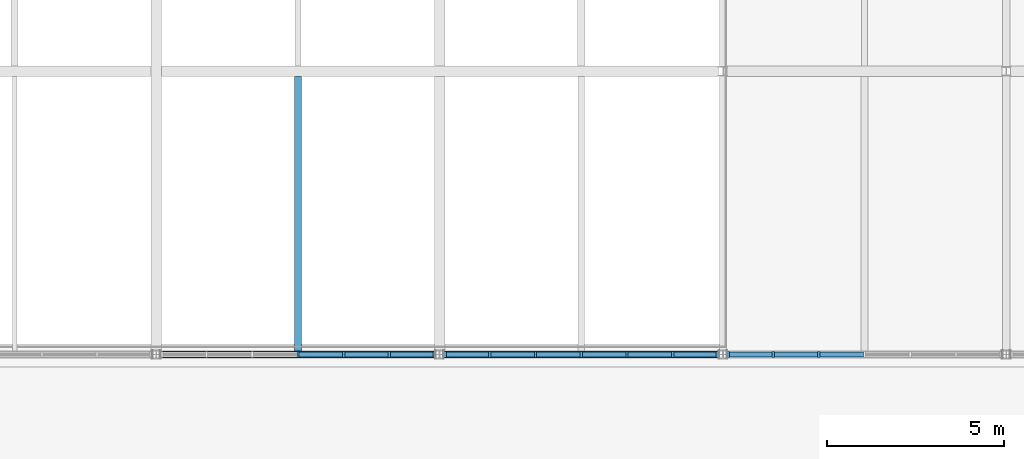
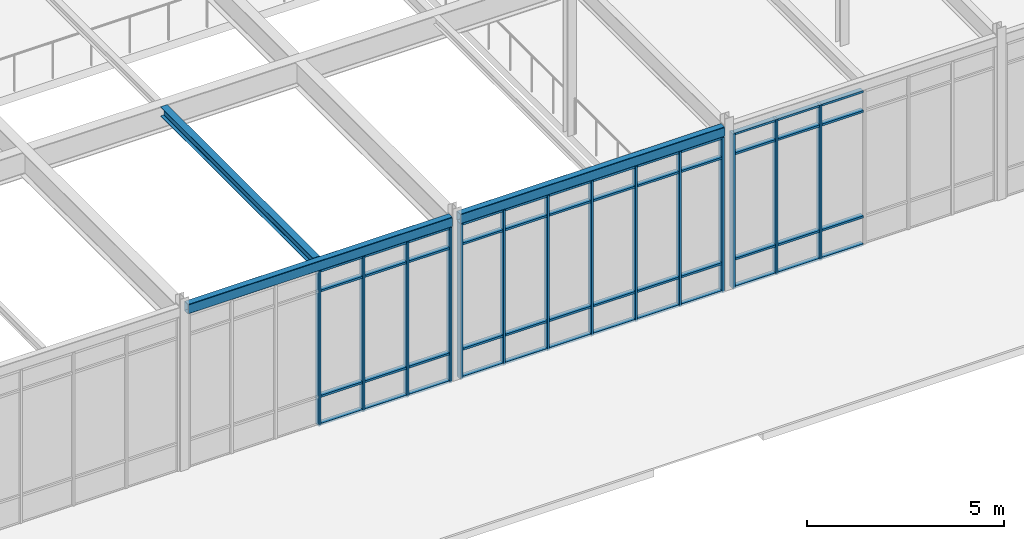
# One storey, part 45 of 184: 62 members, 3 beams, 3 elements without a shape of their own.
"""IFC4 building model written with IfcOpenShell, lengths in metres."""

from ifc_helpers import new_model, si_unit, direction, frame, origin, origin_2d, place, context, subcontext, project, spatial, rectangle, hollow_rectangle, i_section, extrude, material, material_profile, profile_set, type_object, element, aggregate, save


model = new_model("IFC4")

# Units and contexts
model_context = context("Model", 3, precision=1e-05, world=origin(), true_north=direction((0.0, 1.0)))
body_context = subcontext(model_context, "Body", "Model", "MODEL_VIEW")
ifc_project = project(units=[si_unit("LENGTHUNIT", "METRE"), si_unit("AREAUNIT", "SQUARE_METRE"), si_unit("VOLUMEUNIT", "CUBIC_METRE"), si_unit("PLANEANGLEUNIT", "RADIAN"), si_unit("MASSUNIT", "GRAM", prefix="KILO")], contexts=[model_context])

# Site, building, storey
site_placement = place(None, origin())
site = spatial("IfcSite", under=ifc_project, at=site_placement, CompositionType="ELEMENT")
building_placement = place(site_placement, origin())
building = spatial("IfcBuilding", under=site, at=building_placement, Name="Zhaolan Boulevard Law Courts", CompositionType="ELEMENT")
storey_placement = place(building_placement, frame((0.0, 0.0, 5.39990234375)))
storey = spatial("IfcBuildingStorey", under=building, at=storey_placement, Name="L01", CompositionType="ELEMENT", Elevation=5.39990234375)

# Curtain wall, members
ifc_material_1 = material(Name="Thermally broken aluminium and low-E glazing", Category="aluminium")
curtain_wall_type_1 = type_object("IfcCurtainWallType", Name="CURTAIN WALL M11", PredefinedType="USERDEFINED", material=ifc_material_1)
curtain_wall_1_placement = place(storey_placement, origin())
curtain_wall_1 = element("IfcCurtainWall", 1, at=curtain_wall_1_placement, inside=storey, type_object=curtain_wall_type_1, Name="Curtain Wall CW-L01-035", ObjectType="CURTAIN WALL", PredefinedType="USERDEFINED")
ifc_material_2 = material(Name="Fluorocarbon-coated aluminium 6063-T6", Category="aluminium")
ifc_material_profile_1 = material_profile(ifc_material_2, rectangle(XDim=0.179931640625, YDim=0.06494140625, at=origin_2d()), Name="AL65x180")
ifc_profile_set_1 = profile_set([ifc_material_profile_1], Name="Fluorocarbon-coated aluminium 6063-T6")
member_type_1 = type_object("IfcMemberType", Name="CWMULLION 65X180", PredefinedType="MULLION", material=ifc_profile_set_1)
member_1_placement = place(storey_placement, frame((64.0, 6.0, 0.0), z_axis=(0.0, 0.0, 1.0), x_axis=(0.0, 1.0, 0.0)))
member_1 = element("IfcMember", 2, at=member_1_placement, type_object=member_type_1, Name="CW-L01-035 mullion 4", PredefinedType="MULLION", context=body_context, shape_type="SweptSolid", body=[
    extrude(rectangle(XDim=0.179931640625, YDim=0.06494140625, at=origin_2d()), origin(), (0.0, 0.0, 1.0), 4.822998046875),
])
member_2_placement = place(storey_placement, frame((65.291015625, 6.0, 0.0), z_axis=(0.0, 0.0, 1.0), x_axis=(0.0, 1.0, 0.0)))
member_2 = element("IfcMember", 3, at=member_2_placement, type_object=member_type_1, Name="CW-L01-035 mullion 5", PredefinedType="MULLION", context=body_context, shape_type="SweptSolid", body=[
    extrude(rectangle(XDim=0.179931640625, YDim=0.06494140625, at=origin_2d()), origin(), (0.0, 0.0, 1.0), 4.822998046875),
])
member_3_placement = place(storey_placement, frame((66.58203125, 6.0, 0.0), z_axis=(0.0, 0.0, 1.0), x_axis=(0.0, 1.0, 0.0)))
member_3 = element("IfcMember", 4, at=member_3_placement, type_object=member_type_1, Name="CW-L01-035 mullion 6", PredefinedType="MULLION", context=body_context, shape_type="SweptSolid", body=[
    extrude(rectangle(XDim=0.179931640625, YDim=0.06494140625, at=origin_2d()), origin(), (0.0, 0.0, 1.0), 4.822998046875),
])
member_4_placement = place(storey_placement, frame((67.840576171875, 6.0, 0.0), z_axis=(0.0, 0.0, 1.0), x_axis=(0.0, 1.0, 0.0)))
member_4 = element("IfcMember", 5, at=member_4_placement, type_object=member_type_1, Name="CW-L01-035 mullion 7", PredefinedType="MULLION", context=body_context, shape_type="SweptSolid", body=[
    extrude(rectangle(XDim=0.179931640625, YDim=0.06494140625, at=origin_2d()), origin(), (0.0, 0.0, 1.0), 4.822998046875),
])

ifc_material_3 = material(Name="Thermally broken aluminium and low-E glazing", Category="aluminium")
curtain_wall_type_2 = type_object("IfcCurtainWallType", Name="CURTAIN WALL M12", PredefinedType="USERDEFINED", material=ifc_material_3)
curtain_wall_2_placement = place(storey_placement, origin())
curtain_wall_2 = element("IfcCurtainWall", 6, at=curtain_wall_2_placement, inside=storey, type_object=curtain_wall_type_2, Name="Curtain Wall CW-L01-036", ObjectType="CURTAIN WALL", PredefinedType="USERDEFINED")
member_5_placement = place(storey_placement, frame((68.159423828125, 6.0, 0.0), z_axis=(0.0, 0.0, 1.0), x_axis=(0.0, 1.0, 0.0)))
member_5 = element("IfcMember", 7, at=member_5_placement, type_object=member_type_1, Name="CW-L01-036 mullion 1", PredefinedType="MULLION", context=body_context, shape_type="SweptSolid", body=[
    extrude(rectangle(XDim=0.179931640625, YDim=0.06494140625, at=origin_2d()), origin(), (0.0, 0.0, 1.0), 4.822998046875),
])
member_6_placement = place(storey_placement, frame((69.41796875, 6.0, 0.0), z_axis=(0.0, 0.0, 1.0), x_axis=(0.0, 1.0, 0.0)))
member_6 = element("IfcMember", 8, at=member_6_placement, type_object=member_type_1, Name="CW-L01-036 mullion 2", PredefinedType="MULLION", context=body_context, shape_type="SweptSolid", body=[
    extrude(rectangle(XDim=0.179931640625, YDim=0.06494140625, at=origin_2d()), origin(), (0.0, 0.0, 1.0), 4.822998046875),
])
member_7_placement = place(storey_placement, frame((70.708984375, 6.0, 0.0), z_axis=(0.0, 0.0, 1.0), x_axis=(0.0, 1.0, 0.0)))
member_7 = element("IfcMember", 9, at=member_7_placement, type_object=member_type_1, Name="CW-L01-036 mullion 3", PredefinedType="MULLION", context=body_context, shape_type="SweptSolid", body=[
    extrude(rectangle(XDim=0.179931640625, YDim=0.06494140625, at=origin_2d()), origin(), (0.0, 0.0, 1.0), 4.822998046875),
])
member_8_placement = place(storey_placement, frame((72.0, 6.0, 0.0), z_axis=(0.0, 0.0, 1.0), x_axis=(0.0, 1.0, 0.0)))
member_8 = element("IfcMember", 10, at=member_8_placement, type_object=member_type_1, Name="CW-L01-036 mullion 4", PredefinedType="MULLION", context=body_context, shape_type="SweptSolid", body=[
    extrude(rectangle(XDim=0.179931640625, YDim=0.06494140625, at=origin_2d()), origin(), (0.0, 0.0, 1.0), 4.822998046875),
])
member_9_placement = place(storey_placement, frame((73.291015625, 6.0, 0.0), z_axis=(0.0, 0.0, 1.0), x_axis=(0.0, 1.0, 0.0)))
member_9 = element("IfcMember", 11, at=member_9_placement, type_object=member_type_1, Name="CW-L01-036 mullion 5", PredefinedType="MULLION", context=body_context, shape_type="SweptSolid", body=[
    extrude(rectangle(XDim=0.179931640625, YDim=0.06494140625, at=origin_2d()), origin(), (0.0, 0.0, 1.0), 4.822998046875),
])
member_10_placement = place(storey_placement, frame((74.58203125, 6.0, 0.0), z_axis=(0.0, 0.0, 1.0), x_axis=(0.0, 1.0, 0.0)))
member_10 = element("IfcMember", 12, at=member_10_placement, type_object=member_type_1, Name="CW-L01-036 mullion 6", PredefinedType="MULLION", context=body_context, shape_type="SweptSolid", body=[
    extrude(rectangle(XDim=0.179931640625, YDim=0.06494140625, at=origin_2d()), origin(), (0.0, 0.0, 1.0), 4.822998046875),
])
member_11_placement = place(storey_placement, frame((75.840576171875, 6.0, 0.0), z_axis=(0.0, 0.0, 1.0), x_axis=(0.0, 1.0, 0.0)))
member_11 = element("IfcMember", 13, at=member_11_placement, type_object=member_type_1, Name="CW-L01-036 mullion 7", PredefinedType="MULLION", context=body_context, shape_type="SweptSolid", body=[
    extrude(rectangle(XDim=0.179931640625, YDim=0.06494140625, at=origin_2d()), origin(), (0.0, 0.0, 1.0), 4.822998046875),
])

ifc_material_4 = material(Name="Thermally broken aluminium and low-E glazing", Category="aluminium")
curtain_wall_type_3 = type_object("IfcCurtainWallType", Name="CURTAIN WALL M13", PredefinedType="USERDEFINED", material=ifc_material_4)
curtain_wall_3_placement = place(storey_placement, origin())
curtain_wall_3 = element("IfcCurtainWall", 14, at=curtain_wall_3_placement, inside=storey, type_object=curtain_wall_type_3, Name="Curtain Wall CW-L01-037", ObjectType="CURTAIN WALL", PredefinedType="USERDEFINED")
member_12_placement = place(storey_placement, frame((76.159423828125, 6.0, 0.0), z_axis=(0.0, 0.0, 1.0), x_axis=(0.0, 1.0, 0.0)))
member_12 = element("IfcMember", 15, at=member_12_placement, type_object=member_type_1, Name="CW-L01-037 mullion 1", PredefinedType="MULLION", context=body_context, shape_type="SweptSolid", body=[
    extrude(rectangle(XDim=0.179931640625, YDim=0.06494140625, at=origin_2d()), origin(), (0.0, 0.0, 1.0), 4.822998046875),
])
member_13_placement = place(storey_placement, frame((77.41796875, 6.0, 0.0), z_axis=(0.0, 0.0, 1.0), x_axis=(0.0, 1.0, 0.0)))
member_13 = element("IfcMember", 16, at=member_13_placement, type_object=member_type_1, Name="CW-L01-037 mullion 2", PredefinedType="MULLION", context=body_context, shape_type="SweptSolid", body=[
    extrude(rectangle(XDim=0.179931640625, YDim=0.06494140625, at=origin_2d()), origin(), (0.0, 0.0, 1.0), 4.822998046875),
])
member_14_placement = place(storey_placement, frame((78.708984375, 6.0, 0.0), z_axis=(0.0, 0.0, 1.0), x_axis=(0.0, 1.0, 0.0)))
member_14 = element("IfcMember", 17, at=member_14_placement, type_object=member_type_1, Name="CW-L01-037 mullion 3", PredefinedType="MULLION", context=body_context, shape_type="SweptSolid", body=[
    extrude(rectangle(XDim=0.179931640625, YDim=0.06494140625, at=origin_2d()), origin(), (0.0, 0.0, 1.0), 4.822998046875),
])

# Member
ifc_material_5 = material(Name="Fluorocarbon-coated aluminium 6063-T6", Category="aluminium")
ifc_material_profile_2 = material_profile(ifc_material_5, rectangle(XDim=0.139892578125, YDim=0.06494140625, at=origin_2d()), Name="AL65x140")
ifc_profile_set_2 = profile_set([ifc_material_profile_2], Name="Fluorocarbon-coated aluminium 6063-T6")
member_type_2 = type_object("IfcMemberType", Name="CWTRANSOM 65X140", PredefinedType="USERDEFINED", material=ifc_profile_set_2)
member_15_placement = place(storey_placement, frame((64.032470703125, 6.0, 0.03271484375), z_axis=(1.0, 0.0, 0.0), x_axis=(0.0, 1.0, 0.0)))
member_15 = element("IfcMember", 18, at=member_15_placement, type_object=member_type_2, Name="CW-L01-035 transom 4.1", ObjectType="TRANSOM", PredefinedType="USERDEFINED", context=body_context, shape_type="SweptSolid", body=[
    extrude(rectangle(XDim=0.139892578125, YDim=0.06494140625, at=origin_2d()), origin(), (0.0, 0.0, 1.0), 1.22607421875),
])

member_16_placement = place(storey_placement, frame((64.032470703125, 6.0, 0.900146484375), z_axis=(1.0, 0.0, 0.0), x_axis=(0.0, 1.0, 0.0)))
member_16 = element("IfcMember", 19, at=member_16_placement, type_object=member_type_2, Name="CW-L01-035 transom 4.2", ObjectType="TRANSOM", PredefinedType="USERDEFINED", context=body_context, shape_type="SweptSolid", body=[
    extrude(rectangle(XDim=0.139892578125, YDim=0.06494140625, at=origin_2d()), origin(), (0.0, 0.0, 1.0), 1.22607421875),
])

member_17_placement = place(storey_placement, frame((64.032470703125, 6.0, 4.173095703125), z_axis=(1.0, 0.0, 0.0), x_axis=(0.0, 1.0, 0.0)))
member_17 = element("IfcMember", 20, at=member_17_placement, type_object=member_type_2, Name="CW-L01-035 transom 4.3", ObjectType="TRANSOM", PredefinedType="USERDEFINED", context=body_context, shape_type="SweptSolid", body=[
    extrude(rectangle(XDim=0.139892578125, YDim=0.06494140625, at=origin_2d()), origin(), (0.0, 0.0, 1.0), 1.22607421875),
])

member_18_placement = place(storey_placement, frame((64.032470703125, 6.0, 4.79052734375), z_axis=(1.0, 0.0, 0.0), x_axis=(0.0, 1.0, 0.0)))
member_18 = element("IfcMember", 21, at=member_18_placement, type_object=member_type_2, Name="CW-L01-035 transom 4.4", ObjectType="TRANSOM", PredefinedType="USERDEFINED", context=body_context, shape_type="SweptSolid", body=[
    extrude(rectangle(XDim=0.139892578125, YDim=0.06494140625, at=origin_2d()), origin(), (0.0, 0.0, 1.0), 1.22607421875),
])

member_19_placement = place(storey_placement, frame((65.323486328125, 6.0, 0.03271484375), z_axis=(1.0, 0.0, 0.0), x_axis=(0.0, 1.0, 0.0)))
member_19 = element("IfcMember", 22, at=member_19_placement, type_object=member_type_2, Name="CW-L01-035 transom 5.1", ObjectType="TRANSOM", PredefinedType="USERDEFINED", context=body_context, shape_type="SweptSolid", body=[
    extrude(rectangle(XDim=0.139892578125, YDim=0.06494140625, at=origin_2d()), origin(), (0.0, 0.0, 1.0), 1.22607421875),
])

member_20_placement = place(storey_placement, frame((65.323486328125, 6.0, 0.900146484375), z_axis=(1.0, 0.0, 0.0), x_axis=(0.0, 1.0, 0.0)))
member_20 = element("IfcMember", 23, at=member_20_placement, type_object=member_type_2, Name="CW-L01-035 transom 5.2", ObjectType="TRANSOM", PredefinedType="USERDEFINED", context=body_context, shape_type="SweptSolid", body=[
    extrude(rectangle(XDim=0.139892578125, YDim=0.06494140625, at=origin_2d()), origin(), (0.0, 0.0, 1.0), 1.22607421875),
])

member_21_placement = place(storey_placement, frame((65.323486328125, 6.0, 4.173095703125), z_axis=(1.0, 0.0, 0.0), x_axis=(0.0, 1.0, 0.0)))
member_21 = element("IfcMember", 24, at=member_21_placement, type_object=member_type_2, Name="CW-L01-035 transom 5.3", ObjectType="TRANSOM", PredefinedType="USERDEFINED", context=body_context, shape_type="SweptSolid", body=[
    extrude(rectangle(XDim=0.139892578125, YDim=0.06494140625, at=origin_2d()), origin(), (0.0, 0.0, 1.0), 1.22607421875),
])

member_22_placement = place(storey_placement, frame((65.323486328125, 6.0, 4.79052734375), z_axis=(1.0, 0.0, 0.0), x_axis=(0.0, 1.0, 0.0)))
member_22 = element("IfcMember", 25, at=member_22_placement, type_object=member_type_2, Name="CW-L01-035 transom 5.4", ObjectType="TRANSOM", PredefinedType="USERDEFINED", context=body_context, shape_type="SweptSolid", body=[
    extrude(rectangle(XDim=0.139892578125, YDim=0.06494140625, at=origin_2d()), origin(), (0.0, 0.0, 1.0), 1.22607421875),
])

member_23_placement = place(storey_placement, frame((66.614501953125, 6.0, 0.03271484375), z_axis=(1.0, 0.0, 0.0), x_axis=(0.0, 1.0, 0.0)))
member_23 = element("IfcMember", 26, at=member_23_placement, type_object=member_type_2, Name="CW-L01-035 transom 6.1", ObjectType="TRANSOM", PredefinedType="USERDEFINED", context=body_context, shape_type="SweptSolid", body=[
    extrude(rectangle(XDim=0.139892578125, YDim=0.06494140625, at=origin_2d()), origin(), (0.0, 0.0, 1.0), 1.193603515625),
])

member_24_placement = place(storey_placement, frame((66.614501953125, 6.0, 0.900146484375), z_axis=(1.0, 0.0, 0.0), x_axis=(0.0, 1.0, 0.0)))
member_24 = element("IfcMember", 27, at=member_24_placement, type_object=member_type_2, Name="CW-L01-035 transom 6.2", ObjectType="TRANSOM", PredefinedType="USERDEFINED", context=body_context, shape_type="SweptSolid", body=[
    extrude(rectangle(XDim=0.139892578125, YDim=0.06494140625, at=origin_2d()), origin(), (0.0, 0.0, 1.0), 1.193603515625),
])

member_25_placement = place(storey_placement, frame((66.614501953125, 6.0, 4.173095703125), z_axis=(1.0, 0.0, 0.0), x_axis=(0.0, 1.0, 0.0)))
member_25 = element("IfcMember", 28, at=member_25_placement, type_object=member_type_2, Name="CW-L01-035 transom 6.3", ObjectType="TRANSOM", PredefinedType="USERDEFINED", context=body_context, shape_type="SweptSolid", body=[
    extrude(rectangle(XDim=0.139892578125, YDim=0.06494140625, at=origin_2d()), origin(), (0.0, 0.0, 1.0), 1.193603515625),
])

member_26_placement = place(storey_placement, frame((66.614501953125, 6.0, 4.79052734375), z_axis=(1.0, 0.0, 0.0), x_axis=(0.0, 1.0, 0.0)))
member_26 = element("IfcMember", 29, at=member_26_placement, type_object=member_type_2, Name="CW-L01-035 transom 6.4", ObjectType="TRANSOM", PredefinedType="USERDEFINED", context=body_context, shape_type="SweptSolid", body=[
    extrude(rectangle(XDim=0.139892578125, YDim=0.06494140625, at=origin_2d()), origin(), (0.0, 0.0, 1.0), 1.193603515625),
])

aggregate(curtain_wall_1, [member_1, member_2, member_3, member_4, member_15, member_16, member_17, member_18, member_19, member_20, member_21, member_22, member_23, member_24, member_25, member_26])

member_27_placement = place(storey_placement, frame((68.19189453125, 6.0, 0.03271484375), z_axis=(1.0, 0.0, 0.0), x_axis=(0.0, 1.0, 0.0)))
member_27 = element("IfcMember", 30, at=member_27_placement, type_object=member_type_2, Name="CW-L01-036 transom 1.1", ObjectType="TRANSOM", PredefinedType="USERDEFINED", context=body_context, shape_type="SweptSolid", body=[
    extrude(rectangle(XDim=0.139892578125, YDim=0.06494140625, at=origin_2d()), origin(), (0.0, 0.0, 1.0), 1.193603515625),
])

member_28_placement = place(storey_placement, frame((68.19189453125, 6.0, 0.900146484375), z_axis=(1.0, 0.0, 0.0), x_axis=(0.0, 1.0, 0.0)))
member_28 = element("IfcMember", 31, at=member_28_placement, type_object=member_type_2, Name="CW-L01-036 transom 1.2", ObjectType="TRANSOM", PredefinedType="USERDEFINED", context=body_context, shape_type="SweptSolid", body=[
    extrude(rectangle(XDim=0.139892578125, YDim=0.06494140625, at=origin_2d()), origin(), (0.0, 0.0, 1.0), 1.193603515625),
])

member_29_placement = place(storey_placement, frame((68.19189453125, 6.0, 4.173095703125), z_axis=(1.0, 0.0, 0.0), x_axis=(0.0, 1.0, 0.0)))
member_29 = element("IfcMember", 32, at=member_29_placement, type_object=member_type_2, Name="CW-L01-036 transom 1.3", ObjectType="TRANSOM", PredefinedType="USERDEFINED", context=body_context, shape_type="SweptSolid", body=[
    extrude(rectangle(XDim=0.139892578125, YDim=0.06494140625, at=origin_2d()), origin(), (0.0, 0.0, 1.0), 1.193603515625),
])

member_30_placement = place(storey_placement, frame((68.19189453125, 6.0, 4.79052734375), z_axis=(1.0, 0.0, 0.0), x_axis=(0.0, 1.0, 0.0)))
member_30 = element("IfcMember", 33, at=member_30_placement, type_object=member_type_2, Name="CW-L01-036 transom 1.4", ObjectType="TRANSOM", PredefinedType="USERDEFINED", context=body_context, shape_type="SweptSolid", body=[
    extrude(rectangle(XDim=0.139892578125, YDim=0.06494140625, at=origin_2d()), origin(), (0.0, 0.0, 1.0), 1.193603515625),
])

member_31_placement = place(storey_placement, frame((69.450439453125, 6.0, 0.03271484375), z_axis=(1.0, 0.0, 0.0), x_axis=(0.0, 1.0, 0.0)))
member_31 = element("IfcMember", 34, at=member_31_placement, type_object=member_type_2, Name="CW-L01-036 transom 2.1", ObjectType="TRANSOM", PredefinedType="USERDEFINED", context=body_context, shape_type="SweptSolid", body=[
    extrude(rectangle(XDim=0.139892578125, YDim=0.06494140625, at=origin_2d()), origin(), (0.0, 0.0, 1.0), 1.22607421875),
])

member_32_placement = place(storey_placement, frame((69.450439453125, 6.0, 0.900146484375), z_axis=(1.0, 0.0, 0.0), x_axis=(0.0, 1.0, 0.0)))
member_32 = element("IfcMember", 35, at=member_32_placement, type_object=member_type_2, Name="CW-L01-036 transom 2.2", ObjectType="TRANSOM", PredefinedType="USERDEFINED", context=body_context, shape_type="SweptSolid", body=[
    extrude(rectangle(XDim=0.139892578125, YDim=0.06494140625, at=origin_2d()), origin(), (0.0, 0.0, 1.0), 1.22607421875),
])

member_33_placement = place(storey_placement, frame((69.450439453125, 6.0, 4.173095703125), z_axis=(1.0, 0.0, 0.0), x_axis=(0.0, 1.0, 0.0)))
member_33 = element("IfcMember", 36, at=member_33_placement, type_object=member_type_2, Name="CW-L01-036 transom 2.3", ObjectType="TRANSOM", PredefinedType="USERDEFINED", context=body_context, shape_type="SweptSolid", body=[
    extrude(rectangle(XDim=0.139892578125, YDim=0.06494140625, at=origin_2d()), origin(), (0.0, 0.0, 1.0), 1.22607421875),
])

member_34_placement = place(storey_placement, frame((69.450439453125, 6.0, 4.79052734375), z_axis=(1.0, 0.0, 0.0), x_axis=(0.0, 1.0, 0.0)))
member_34 = element("IfcMember", 37, at=member_34_placement, type_object=member_type_2, Name="CW-L01-036 transom 2.4", ObjectType="TRANSOM", PredefinedType="USERDEFINED", context=body_context, shape_type="SweptSolid", body=[
    extrude(rectangle(XDim=0.139892578125, YDim=0.06494140625, at=origin_2d()), origin(), (0.0, 0.0, 1.0), 1.22607421875),
])

member_35_placement = place(storey_placement, frame((70.741455078125, 6.0, 0.03271484375), z_axis=(1.0, 0.0, 0.0), x_axis=(0.0, 1.0, 0.0)))
member_35 = element("IfcMember", 38, at=member_35_placement, type_object=member_type_2, Name="CW-L01-036 transom 3.1", ObjectType="TRANSOM", PredefinedType="USERDEFINED", context=body_context, shape_type="SweptSolid", body=[
    extrude(rectangle(XDim=0.139892578125, YDim=0.06494140625, at=origin_2d()), origin(), (0.0, 0.0, 1.0), 1.22607421875),
])

member_36_placement = place(storey_placement, frame((70.741455078125, 6.0, 0.900146484375), z_axis=(1.0, 0.0, 0.0), x_axis=(0.0, 1.0, 0.0)))
member_36 = element("IfcMember", 39, at=member_36_placement, type_object=member_type_2, Name="CW-L01-036 transom 3.2", ObjectType="TRANSOM", PredefinedType="USERDEFINED", context=body_context, shape_type="SweptSolid", body=[
    extrude(rectangle(XDim=0.139892578125, YDim=0.06494140625, at=origin_2d()), origin(), (0.0, 0.0, 1.0), 1.22607421875),
])

member_37_placement = place(storey_placement, frame((70.741455078125, 6.0, 4.173095703125), z_axis=(1.0, 0.0, 0.0), x_axis=(0.0, 1.0, 0.0)))
member_37 = element("IfcMember", 40, at=member_37_placement, type_object=member_type_2, Name="CW-L01-036 transom 3.3", ObjectType="TRANSOM", PredefinedType="USERDEFINED", context=body_context, shape_type="SweptSolid", body=[
    extrude(rectangle(XDim=0.139892578125, YDim=0.06494140625, at=origin_2d()), origin(), (0.0, 0.0, 1.0), 1.22607421875),
])

member_38_placement = place(storey_placement, frame((70.741455078125, 6.0, 4.79052734375), z_axis=(1.0, 0.0, 0.0), x_axis=(0.0, 1.0, 0.0)))
member_38 = element("IfcMember", 41, at=member_38_placement, type_object=member_type_2, Name="CW-L01-036 transom 3.4", ObjectType="TRANSOM", PredefinedType="USERDEFINED", context=body_context, shape_type="SweptSolid", body=[
    extrude(rectangle(XDim=0.139892578125, YDim=0.06494140625, at=origin_2d()), origin(), (0.0, 0.0, 1.0), 1.22607421875),
])

member_39_placement = place(storey_placement, frame((72.032470703125, 6.0, 0.03271484375), z_axis=(1.0, 0.0, 0.0), x_axis=(0.0, 1.0, 0.0)))
member_39 = element("IfcMember", 42, at=member_39_placement, type_object=member_type_2, Name="CW-L01-036 transom 4.1", ObjectType="TRANSOM", PredefinedType="USERDEFINED", context=body_context, shape_type="SweptSolid", body=[
    extrude(rectangle(XDim=0.139892578125, YDim=0.06494140625, at=origin_2d()), origin(), (0.0, 0.0, 1.0), 1.22607421875),
])

member_40_placement = place(storey_placement, frame((72.032470703125, 6.0, 0.900146484375), z_axis=(1.0, 0.0, 0.0), x_axis=(0.0, 1.0, 0.0)))
member_40 = element("IfcMember", 43, at=member_40_placement, type_object=member_type_2, Name="CW-L01-036 transom 4.2", ObjectType="TRANSOM", PredefinedType="USERDEFINED", context=body_context, shape_type="SweptSolid", body=[
    extrude(rectangle(XDim=0.139892578125, YDim=0.06494140625, at=origin_2d()), origin(), (0.0, 0.0, 1.0), 1.22607421875),
])

member_41_placement = place(storey_placement, frame((72.032470703125, 6.0, 4.173095703125), z_axis=(1.0, 0.0, 0.0), x_axis=(0.0, 1.0, 0.0)))
member_41 = element("IfcMember", 44, at=member_41_placement, type_object=member_type_2, Name="CW-L01-036 transom 4.3", ObjectType="TRANSOM", PredefinedType="USERDEFINED", context=body_context, shape_type="SweptSolid", body=[
    extrude(rectangle(XDim=0.139892578125, YDim=0.06494140625, at=origin_2d()), origin(), (0.0, 0.0, 1.0), 1.22607421875),
])

member_42_placement = place(storey_placement, frame((72.032470703125, 6.0, 4.79052734375), z_axis=(1.0, 0.0, 0.0), x_axis=(0.0, 1.0, 0.0)))
member_42 = element("IfcMember", 45, at=member_42_placement, type_object=member_type_2, Name="CW-L01-036 transom 4.4", ObjectType="TRANSOM", PredefinedType="USERDEFINED", context=body_context, shape_type="SweptSolid", body=[
    extrude(rectangle(XDim=0.139892578125, YDim=0.06494140625, at=origin_2d()), origin(), (0.0, 0.0, 1.0), 1.22607421875),
])

member_43_placement = place(storey_placement, frame((73.323486328125, 6.0, 0.03271484375), z_axis=(1.0, 0.0, 0.0), x_axis=(0.0, 1.0, 0.0)))
member_43 = element("IfcMember", 46, at=member_43_placement, type_object=member_type_2, Name="CW-L01-036 transom 5.1", ObjectType="TRANSOM", PredefinedType="USERDEFINED", context=body_context, shape_type="SweptSolid", body=[
    extrude(rectangle(XDim=0.139892578125, YDim=0.06494140625, at=origin_2d()), origin(), (0.0, 0.0, 1.0), 1.22607421875),
])

member_44_placement = place(storey_placement, frame((73.323486328125, 6.0, 0.900146484375), z_axis=(1.0, 0.0, 0.0), x_axis=(0.0, 1.0, 0.0)))
member_44 = element("IfcMember", 47, at=member_44_placement, type_object=member_type_2, Name="CW-L01-036 transom 5.2", ObjectType="TRANSOM", PredefinedType="USERDEFINED", context=body_context, shape_type="SweptSolid", body=[
    extrude(rectangle(XDim=0.139892578125, YDim=0.06494140625, at=origin_2d()), origin(), (0.0, 0.0, 1.0), 1.22607421875),
])

member_45_placement = place(storey_placement, frame((73.323486328125, 6.0, 4.173095703125), z_axis=(1.0, 0.0, 0.0), x_axis=(0.0, 1.0, 0.0)))
member_45 = element("IfcMember", 48, at=member_45_placement, type_object=member_type_2, Name="CW-L01-036 transom 5.3", ObjectType="TRANSOM", PredefinedType="USERDEFINED", context=body_context, shape_type="SweptSolid", body=[
    extrude(rectangle(XDim=0.139892578125, YDim=0.06494140625, at=origin_2d()), origin(), (0.0, 0.0, 1.0), 1.22607421875),
])

member_46_placement = place(storey_placement, frame((73.323486328125, 6.0, 4.79052734375), z_axis=(1.0, 0.0, 0.0), x_axis=(0.0, 1.0, 0.0)))
member_46 = element("IfcMember", 49, at=member_46_placement, type_object=member_type_2, Name="CW-L01-036 transom 5.4", ObjectType="TRANSOM", PredefinedType="USERDEFINED", context=body_context, shape_type="SweptSolid", body=[
    extrude(rectangle(XDim=0.139892578125, YDim=0.06494140625, at=origin_2d()), origin(), (0.0, 0.0, 1.0), 1.22607421875),
])

member_47_placement = place(storey_placement, frame((74.614501953125, 6.0, 0.03271484375), z_axis=(1.0, 0.0, 0.0), x_axis=(0.0, 1.0, 0.0)))
member_47 = element("IfcMember", 50, at=member_47_placement, type_object=member_type_2, Name="CW-L01-036 transom 6.1", ObjectType="TRANSOM", PredefinedType="USERDEFINED", context=body_context, shape_type="SweptSolid", body=[
    extrude(rectangle(XDim=0.139892578125, YDim=0.06494140625, at=origin_2d()), origin(), (0.0, 0.0, 1.0), 1.193603515625),
])

member_48_placement = place(storey_placement, frame((74.614501953125, 6.0, 0.900146484375), z_axis=(1.0, 0.0, 0.0), x_axis=(0.0, 1.0, 0.0)))
member_48 = element("IfcMember", 51, at=member_48_placement, type_object=member_type_2, Name="CW-L01-036 transom 6.2", ObjectType="TRANSOM", PredefinedType="USERDEFINED", context=body_context, shape_type="SweptSolid", body=[
    extrude(rectangle(XDim=0.139892578125, YDim=0.06494140625, at=origin_2d()), origin(), (0.0, 0.0, 1.0), 1.193603515625),
])

member_49_placement = place(storey_placement, frame((74.614501953125, 6.0, 4.173095703125), z_axis=(1.0, 0.0, 0.0), x_axis=(0.0, 1.0, 0.0)))
member_49 = element("IfcMember", 52, at=member_49_placement, type_object=member_type_2, Name="CW-L01-036 transom 6.3", ObjectType="TRANSOM", PredefinedType="USERDEFINED", context=body_context, shape_type="SweptSolid", body=[
    extrude(rectangle(XDim=0.139892578125, YDim=0.06494140625, at=origin_2d()), origin(), (0.0, 0.0, 1.0), 1.193603515625),
])

member_50_placement = place(storey_placement, frame((74.614501953125, 6.0, 4.79052734375), z_axis=(1.0, 0.0, 0.0), x_axis=(0.0, 1.0, 0.0)))
member_50 = element("IfcMember", 53, at=member_50_placement, type_object=member_type_2, Name="CW-L01-036 transom 6.4", ObjectType="TRANSOM", PredefinedType="USERDEFINED", context=body_context, shape_type="SweptSolid", body=[
    extrude(rectangle(XDim=0.139892578125, YDim=0.06494140625, at=origin_2d()), origin(), (0.0, 0.0, 1.0), 1.193603515625),
])

aggregate(curtain_wall_2, [member_5, member_6, member_7, member_8, member_9, member_10, member_11, member_27, member_28, member_29, member_30, member_31, member_32, member_33, member_34, member_35, member_36, member_37, member_38, member_39, member_40, member_41, member_42, member_43, member_44, member_45, member_46, member_47, member_48, member_49, member_50])

member_51_placement = place(storey_placement, frame((76.19189453125, 6.0, 0.03271484375), z_axis=(1.0, 0.0, 0.0), x_axis=(0.0, 1.0, 0.0)))
member_51 = element("IfcMember", 54, at=member_51_placement, type_object=member_type_2, Name="CW-L01-037 transom 1.1", ObjectType="TRANSOM", PredefinedType="USERDEFINED", context=body_context, shape_type="SweptSolid", body=[
    extrude(rectangle(XDim=0.139892578125, YDim=0.06494140625, at=origin_2d()), origin(), (0.0, 0.0, 1.0), 1.193603515625),
])

member_52_placement = place(storey_placement, frame((76.19189453125, 6.0, 0.900146484375), z_axis=(1.0, 0.0, 0.0), x_axis=(0.0, 1.0, 0.0)))
member_52 = element("IfcMember", 55, at=member_52_placement, type_object=member_type_2, Name="CW-L01-037 transom 1.2", ObjectType="TRANSOM", PredefinedType="USERDEFINED", context=body_context, shape_type="SweptSolid", body=[
    extrude(rectangle(XDim=0.139892578125, YDim=0.06494140625, at=origin_2d()), origin(), (0.0, 0.0, 1.0), 1.193603515625),
])

member_53_placement = place(storey_placement, frame((76.19189453125, 6.0, 4.173095703125), z_axis=(1.0, 0.0, 0.0), x_axis=(0.0, 1.0, 0.0)))
member_53 = element("IfcMember", 56, at=member_53_placement, type_object=member_type_2, Name="CW-L01-037 transom 1.3", ObjectType="TRANSOM", PredefinedType="USERDEFINED", context=body_context, shape_type="SweptSolid", body=[
    extrude(rectangle(XDim=0.139892578125, YDim=0.06494140625, at=origin_2d()), origin(), (0.0, 0.0, 1.0), 1.193603515625),
])

member_54_placement = place(storey_placement, frame((76.19189453125, 6.0, 4.79052734375), z_axis=(1.0, 0.0, 0.0), x_axis=(0.0, 1.0, 0.0)))
member_54 = element("IfcMember", 57, at=member_54_placement, type_object=member_type_2, Name="CW-L01-037 transom 1.4", ObjectType="TRANSOM", PredefinedType="USERDEFINED", context=body_context, shape_type="SweptSolid", body=[
    extrude(rectangle(XDim=0.139892578125, YDim=0.06494140625, at=origin_2d()), origin(), (0.0, 0.0, 1.0), 1.193603515625),
])

member_55_placement = place(storey_placement, frame((77.450439453125, 6.0, 0.03271484375), z_axis=(1.0, 0.0, 0.0), x_axis=(0.0, 1.0, 0.0)))
member_55 = element("IfcMember", 58, at=member_55_placement, type_object=member_type_2, Name="CW-L01-037 transom 2.1", ObjectType="TRANSOM", PredefinedType="USERDEFINED", context=body_context, shape_type="SweptSolid", body=[
    extrude(rectangle(XDim=0.139892578125, YDim=0.06494140625, at=origin_2d()), origin(), (0.0, 0.0, 1.0), 1.22607421875),
])

member_56_placement = place(storey_placement, frame((77.450439453125, 6.0, 0.900146484375), z_axis=(1.0, 0.0, 0.0), x_axis=(0.0, 1.0, 0.0)))
member_56 = element("IfcMember", 59, at=member_56_placement, type_object=member_type_2, Name="CW-L01-037 transom 2.2", ObjectType="TRANSOM", PredefinedType="USERDEFINED", context=body_context, shape_type="SweptSolid", body=[
    extrude(rectangle(XDim=0.139892578125, YDim=0.06494140625, at=origin_2d()), origin(), (0.0, 0.0, 1.0), 1.22607421875),
])

member_57_placement = place(storey_placement, frame((77.450439453125, 6.0, 4.173095703125), z_axis=(1.0, 0.0, 0.0), x_axis=(0.0, 1.0, 0.0)))
member_57 = element("IfcMember", 60, at=member_57_placement, type_object=member_type_2, Name="CW-L01-037 transom 2.3", ObjectType="TRANSOM", PredefinedType="USERDEFINED", context=body_context, shape_type="SweptSolid", body=[
    extrude(rectangle(XDim=0.139892578125, YDim=0.06494140625, at=origin_2d()), origin(), (0.0, 0.0, 1.0), 1.22607421875),
])

member_58_placement = place(storey_placement, frame((77.450439453125, 6.0, 4.79052734375), z_axis=(1.0, 0.0, 0.0), x_axis=(0.0, 1.0, 0.0)))
member_58 = element("IfcMember", 61, at=member_58_placement, type_object=member_type_2, Name="CW-L01-037 transom 2.4", ObjectType="TRANSOM", PredefinedType="USERDEFINED", context=body_context, shape_type="SweptSolid", body=[
    extrude(rectangle(XDim=0.139892578125, YDim=0.06494140625, at=origin_2d()), origin(), (0.0, 0.0, 1.0), 1.22607421875),
])

member_59_placement = place(storey_placement, frame((78.741455078125, 6.0, 0.03271484375), z_axis=(1.0, 0.0, 0.0), x_axis=(0.0, 1.0, 0.0)))
member_59 = element("IfcMember", 62, at=member_59_placement, type_object=member_type_2, Name="CW-L01-037 transom 3.1", ObjectType="TRANSOM", PredefinedType="USERDEFINED", context=body_context, shape_type="SweptSolid", body=[
    extrude(rectangle(XDim=0.139892578125, YDim=0.06494140625, at=origin_2d()), origin(), (0.0, 0.0, 1.0), 1.22607421875),
])

member_60_placement = place(storey_placement, frame((78.741455078125, 6.0, 0.900146484375), z_axis=(1.0, 0.0, 0.0), x_axis=(0.0, 1.0, 0.0)))
member_60 = element("IfcMember", 63, at=member_60_placement, type_object=member_type_2, Name="CW-L01-037 transom 3.2", ObjectType="TRANSOM", PredefinedType="USERDEFINED", context=body_context, shape_type="SweptSolid", body=[
    extrude(rectangle(XDim=0.139892578125, YDim=0.06494140625, at=origin_2d()), origin(), (0.0, 0.0, 1.0), 1.22607421875),
])

member_61_placement = place(storey_placement, frame((78.741455078125, 6.0, 4.173095703125), z_axis=(1.0, 0.0, 0.0), x_axis=(0.0, 1.0, 0.0)))
member_61 = element("IfcMember", 64, at=member_61_placement, type_object=member_type_2, Name="CW-L01-037 transom 3.3", ObjectType="TRANSOM", PredefinedType="USERDEFINED", context=body_context, shape_type="SweptSolid", body=[
    extrude(rectangle(XDim=0.139892578125, YDim=0.06494140625, at=origin_2d()), origin(), (0.0, 0.0, 1.0), 1.22607421875),
])

member_62_placement = place(storey_placement, frame((78.741455078125, 6.0, 4.79052734375), z_axis=(1.0, 0.0, 0.0), x_axis=(0.0, 1.0, 0.0)))
member_62 = element("IfcMember", 65, at=member_62_placement, type_object=member_type_2, Name="CW-L01-037 transom 3.4", ObjectType="TRANSOM", PredefinedType="USERDEFINED", context=body_context, shape_type="SweptSolid", body=[
    extrude(rectangle(XDim=0.139892578125, YDim=0.06494140625, at=origin_2d()), origin(), (0.0, 0.0, 1.0), 1.22607421875),
])

aggregate(curtain_wall_3, [member_12, member_13, member_14, member_51, member_52, member_53, member_54, member_55, member_56, member_57, member_58, member_59, member_60, member_61, member_62])

# Beams
ifc_material_6 = material(Name="Structural steel Q355B", Category="steel")
ifc_material_profile_3 = material_profile(ifc_material_6, i_section(OverallWidth=0.199951171875, OverallDepth=0.2939453125, WebThickness=0.008056640625, FlangeThickness=0.011962890625, FilletRadius=0.01611328125, at=origin_2d()), Name="HM294x200")
ifc_profile_set_3 = profile_set([ifc_material_profile_3], Name="Structural steel Q355B")
beam_type_1 = type_object("IfcBeamType", Name="JOIST HM294", PredefinedType="JOIST", material=ifc_profile_set_3)
beam_placement = place(storey_placement, frame((64.0, 6.095947265625, 4.9912109375), z_axis=(0.0, 1.0, 0.0), x_axis=(-1.0, 0.0, 0.0)))
element("IfcBeam", 66, at=beam_placement, inside=storey, type_object=beam_type_1, Name="Composite Joist J-L02-8B", PredefinedType="JOIST", context=body_context, shape_type="SweptSolid", body=[
    extrude(i_section(OverallWidth=0.199951171875, OverallDepth=0.2939453125, WebThickness=0.008056640625, FlangeThickness=0.011962890625, FilletRadius=0.01611328125, at=origin_2d()), origin(), (0.0, 0.0, 1.0), 7.758056640625),
])
ifc_material_7 = material(Name="Structural steel Q355B", Category="steel")
ifc_material_profile_4 = material_profile(ifc_material_7, hollow_rectangle(XDim=0.199951171875, YDim=0.300048828125, WallThickness=0.011962890625, InnerFilletRadius=0.011962890625, OuterFilletRadius=0.02392578125, at=origin_2d()), Name="HSS300x200x12")
ifc_profile_set_4 = profile_set([ifc_material_profile_4], Name="Structural steel Q355B")
beam_type_2 = type_object("IfcBeamType", Name="SPANDREL HSS300", PredefinedType="SPANDREL", material=ifc_profile_set_4)
for number, where, z_axis, x_axis, name in (
    (67, (60.12109375, 6.0, 4.988037109375), (1.0, 0.0, 0.0), (0.0, 1.0, 0.0), "Beam BX-L02-8-9-B"),
    (68, (68.12109375, 6.0, 4.988037109375), (1.0, 0.0, 0.0), (0.0, 1.0, 0.0), "Beam BX-L02-9-10-B"),
):
    element("IfcBeam", number, at=place(storey_placement, frame(where, z_axis=z_axis, x_axis=x_axis)), inside=storey, type_object=beam_type_2, Name=name, PredefinedType="SPANDREL", context=body_context, shape_type="SweptSolid", body=[
        extrude(hollow_rectangle(XDim=0.199951171875, YDim=0.300048828125, WallThickness=0.011962890625, InnerFilletRadius=0.011962890625, OuterFilletRadius=0.02392578125, at=origin_2d()), origin(), (0.0, 0.0, 1.0), 7.7578125),
    ])

save(model, "model.ifc")
